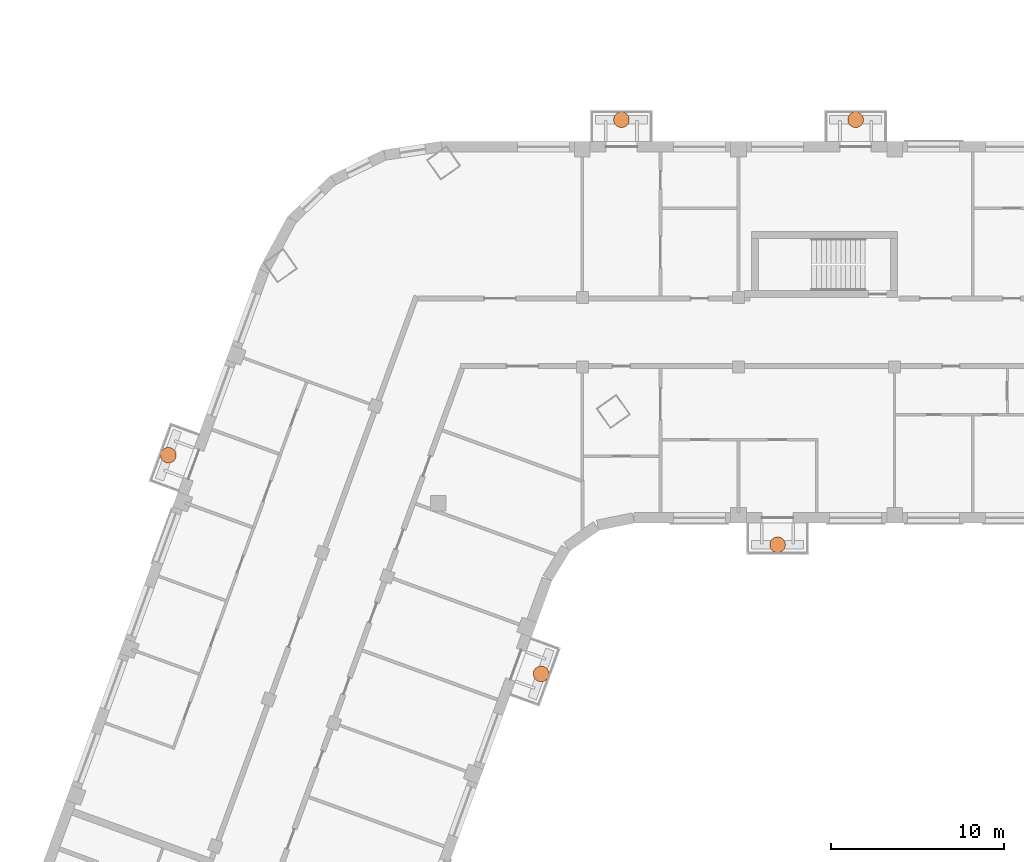
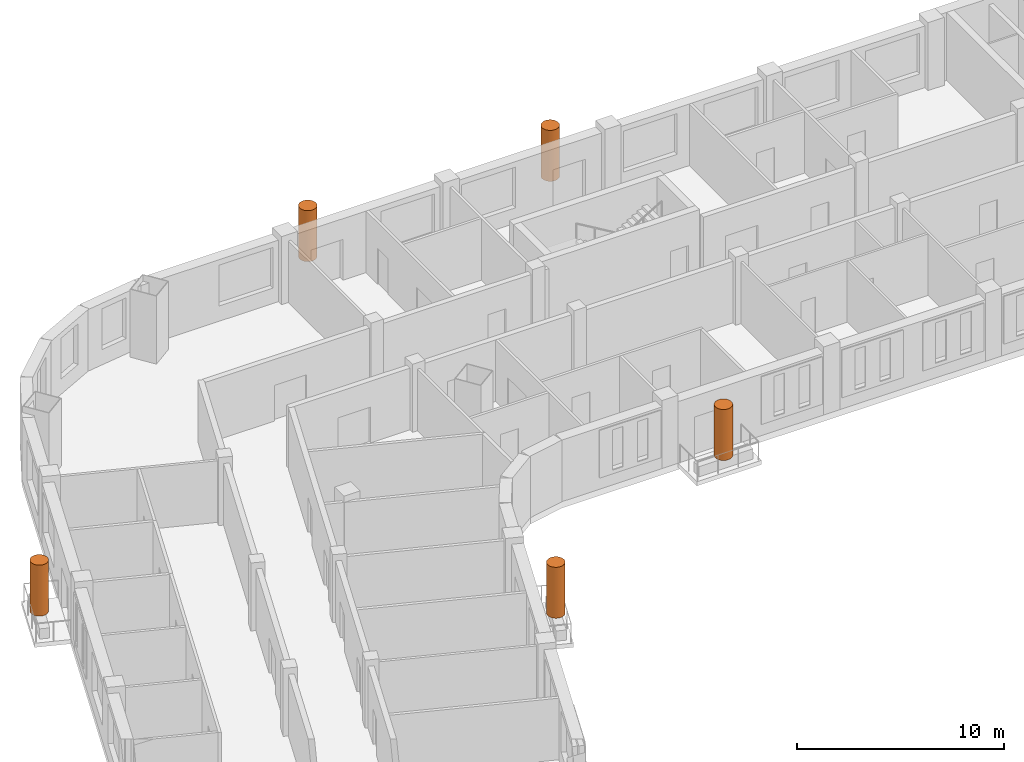
# One storey, part 16 of 16: 5 geographic elements.
"""IFC4 building model written with IfcOpenShell, lengths in metres."""

from ifc_helpers import new_model, si_unit, direction, frame, origin, origin_2d, place, context, subcontext, project, spatial, circle, extrude, element, save


model = new_model("IFC4")

# Units and contexts
model_context = context("Model", 3, precision=1e-05, world=origin(), true_north=direction((0.0, 1.0)))
body_context = subcontext(model_context, "Body", "Model", "MODEL_VIEW")
ifc_project = project(units=[si_unit("LENGTHUNIT", "METRE"), si_unit("AREAUNIT", "SQUARE_METRE"), si_unit("VOLUMEUNIT", "CUBIC_METRE"), si_unit("PLANEANGLEUNIT", "RADIAN"), si_unit("MASSUNIT", "GRAM", prefix="KILO")], contexts=[model_context])

# Site, building, storey
site_placement = place(None, origin())
site = spatial("IfcSite", under=ifc_project, at=site_placement, CompositionType="ELEMENT")
building_placement = place(site_placement, origin())
building = spatial("IfcBuilding", under=site, at=building_placement, Name="Skarvind Civic Tower", CompositionType="ELEMENT")
storey_placement = place(building_placement, frame((0.0, 0.0, 43.5)))
storey = spatial("IfcBuildingStorey", under=building, at=storey_placement, Name="L09", CompositionType="ELEMENT", Elevation=43.5)

# Geographic elements
for number, where, z_axis, x_axis, name in (
    (1, (51.867919921875, 108.305419921875, 0.60009765625), (0.0, 0.0, 1.0), (1.0, 0.0, 0.0), "TREE BALCONY TREE"),
    (2, (65.5, 115.75, 0.60009765625), (0.0, 0.0, 1.0), (1.0, 0.0, 0.0), "TREE BALCONY TREE"),
    (3, (56.5, 140.25, 0.60009765625), (0.0, 0.0, 1.0), (1.0, 0.0, 0.0), "TREE BALCONY TREE"),
    (4, (70.0, 140.25, 0.60009765625), (0.0, 0.0, 1.0), (1.0, 0.0, 0.0), "TREE BALCONY TREE"),
    (5, (30.384521484375, 120.91357421875, 0.60009765625), (0.0, 0.0, 1.0), (1.0, 0.0, 0.0), "TREE BALCONY TREE"),
):
    element("IfcGeographicElement", number, at=place(storey_placement, frame(where, z_axis=z_axis, x_axis=x_axis)), inside=storey, Name=name, ObjectType="TREE", PredefinedType="USERDEFINED", context=body_context, shape_type="SweptSolid", body=[
        extrude(circle(Radius=0.449951171875, at=origin_2d()), origin(), (0.0, 0.0, 1.0), 3.0),
    ])

save(model, "model.ifc")
